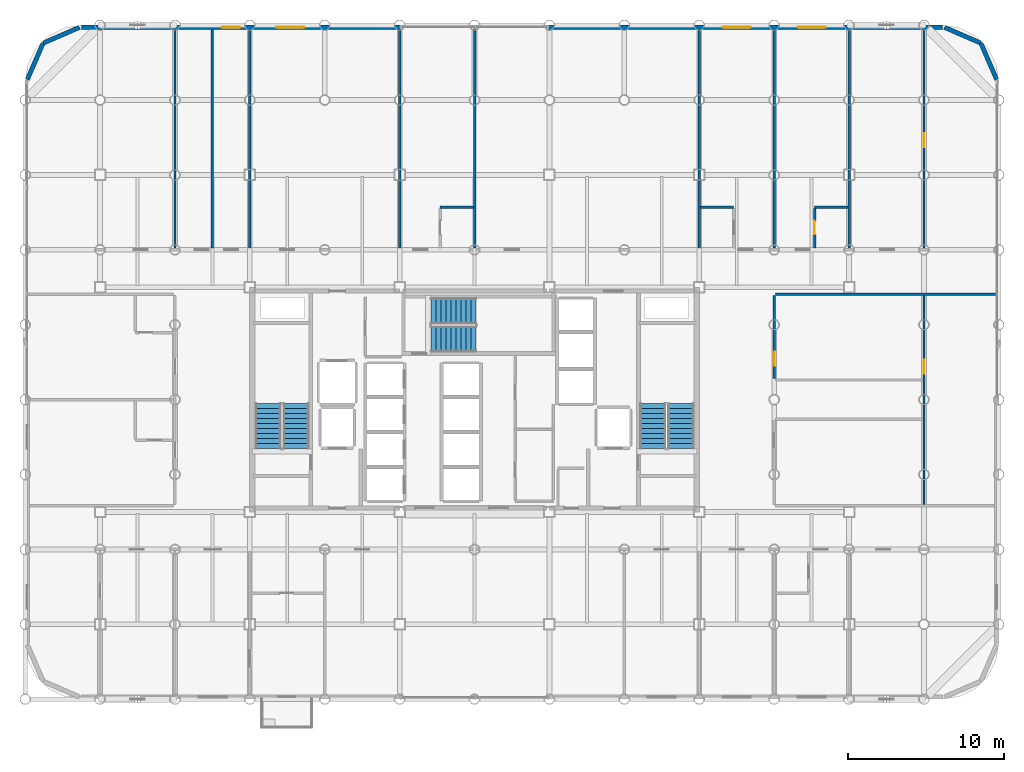
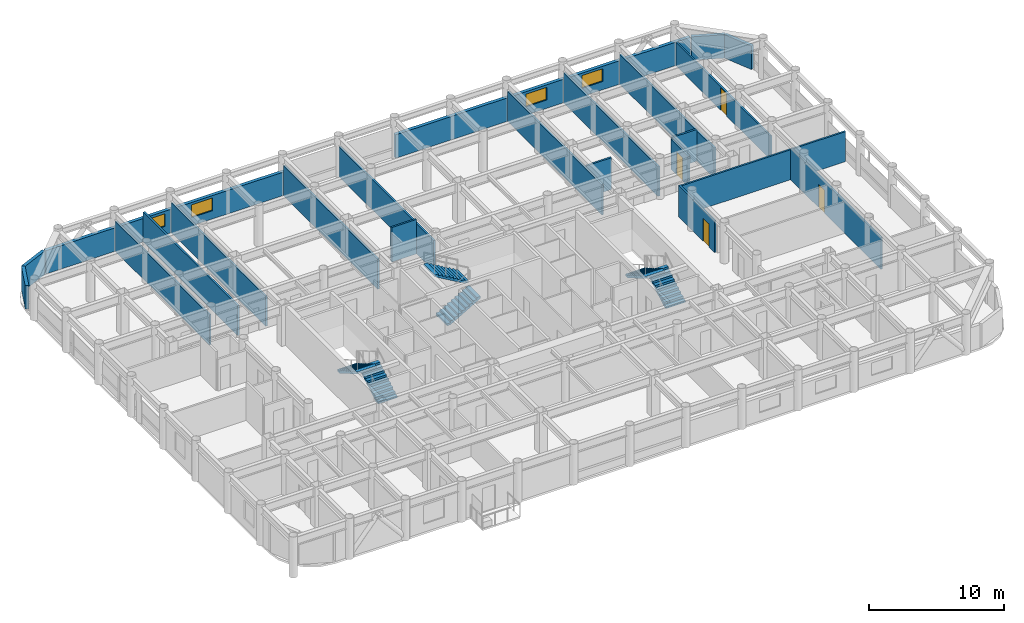
# One storey, part 20 of 22: 22 walls, 6 stair flights, 4 doors, 4 windows, 8 openings, 3 elements without a shape of their own.
"""IFC4 building model written with IfcOpenShell, lengths in metres."""

from ifc_helpers import new_model, si_unit, direction, frame, frame_2d, origin, place, context, subcontext, project, spatial, polyline, rectangle, outline, extrude, material, layer, layer_set, type_object, element, fill, aggregate, save


model = new_model("IFC4")

# Units and contexts
model_context = context("Model", 3, precision=1e-05, world=origin(), true_north=direction((0.0, 1.0)))
body_context = subcontext(model_context, "Body", "Model", "MODEL_VIEW")
ifc_project = project(units=[si_unit("LENGTHUNIT", "METRE"), si_unit("AREAUNIT", "SQUARE_METRE"), si_unit("VOLUMEUNIT", "CUBIC_METRE"), si_unit("PLANEANGLEUNIT", "RADIAN"), si_unit("MASSUNIT", "GRAM", prefix="KILO")], contexts=[model_context])

# Site, building, storey
site_placement = place(None, origin())
site = spatial("IfcSite", under=ifc_project, at=site_placement, CompositionType="ELEMENT")
building_placement = place(site_placement, origin())
building = spatial("IfcBuilding", under=site, at=building_placement, Name="Kallvorn Hotel Tower", CompositionType="ELEMENT")
storey_placement = place(building_placement, frame((0.0, 0.0, 102.60009765625)))
storey = spatial("IfcBuildingStorey", under=building, at=storey_placement, Name="L24", CompositionType="ELEMENT", Elevation=102.60009765625)

# Walls
ifc_material_1 = material(Name="Fire-rated double-layer acoustic gypsum drywall EI 60")
ifc_layer_1 = layer(ifc_material_1, 0.159912109375)
ifc_layer_set_1 = layer_set([ifc_layer_1], Name="WL_DEMISE_160")
wall_type_1 = type_object("IfcWallType", Name="WL_DEMISE_160", PredefinedType="PARTITIONING", material=ifc_layer_set_1)
wall_1_placement = place(storey_placement, frame((-2.2099609375, 12.320068359375, 0.0), z_axis=(0.0, 0.0, 1.0), x_axis=(1.0, 0.0, 0.0)))
element("IfcWall", 1, at=wall_1_placement, inside=storey, type_object=wall_type_1, Name="L24 Suite 2405 Standard King Room Partition", PredefinedType="PARTITIONING", context=body_context, shape_type="SweptSolid", body=[
    extrude(rectangle(XDim=2.1298828125, YDim=0.159912109375, at=frame_2d((1.06494140625, 0.0))), origin(), (0.0, 0.0, 1.0), 3.119873046875),
])
wall_2_placement = place(storey_placement, frame((14.47998046875, 12.320068359375, 0.0), z_axis=(0.0, 0.0, 1.0), x_axis=(1.0, 0.0, 0.0)))
element("IfcWall", 2, at=wall_2_placement, inside=storey, type_object=wall_type_1, Name="L24 Suite 2406 Standard King Room Partition", PredefinedType="PARTITIONING", context=body_context, shape_type="SweptSolid", body=[
    extrude(rectangle(XDim=2.130126953125, YDim=0.159912109375, at=frame_2d((1.06494140625, 0.0))), origin(), (0.0, 0.0, 1.0), 2.869873046875),
])
wall_3_placement = place(storey_placement, frame((21.7900390625, 12.320068359375, 0.0), z_axis=(0.0, 0.0, 1.0), x_axis=(1.0, 0.0, 0.0)))
element("IfcWall", 3, at=wall_3_placement, inside=storey, type_object=wall_type_1, Name="L24 Suite 2407 Standard King Room Partition", PredefinedType="PARTITIONING", context=body_context, shape_type="SweptSolid", body=[
    extrude(rectangle(XDim=2.1298828125, YDim=0.159912109375, at=frame_2d((1.06494140625, 0.0))), origin(), (0.0, 0.0, 1.0), 2.869873046875),
])
wall_4_placement = place(storey_placement, frame((-4.800048828125, 9.719970703125, 0.0), z_axis=(0.0, 0.0, 1.0), x_axis=(0.0, 1.0, 0.0)))
element("IfcWall", 4, at=wall_4_placement, inside=storey, type_object=wall_type_1, Name="L24 Suite 2405 Standard King Room Partition", PredefinedType="PARTITIONING", context=body_context, shape_type="SweptSolid", body=[
    extrude(rectangle(XDim=13.989990234375, YDim=0.159912109375, at=frame_2d((6.9951171875, 0.0))), origin(), (0.0, 0.0, 1.0), 2.719970703125),
])
wall_5_placement = place(storey_placement, frame((0.0, 9.719970703125, 0.0), z_axis=(0.0, 0.0, 1.0), x_axis=(0.0, 1.0, 0.0)))
element("IfcWall", 5, at=wall_5_placement, inside=storey, type_object=wall_type_1, Name="L24 Suite 2405 Standard King Room Partition", PredefinedType="PARTITIONING", context=body_context, shape_type="SweptSolid", body=[
    extrude(rectangle(XDim=14.074951171875, YDim=0.159912109375, at=frame_2d((7.03759765625, 0.0))), origin(), (0.0, 0.0, 1.0), 2.719970703125),
])
for number, where, z_axis, x_axis, name in (
    (6, (14.39990234375, 9.719970703125, 0.0), (0.0, 0.0, 1.0), (0.0, 1.0, 0.0), "L24 Suite 2406 Standard King Room Partition"),
    (7, (19.199951171875, 9.719970703125, 0.0), (0.0, 0.0, 1.0), (0.0, 1.0, 0.0), "L24 Suite 2406 Standard King Room Partition"),
):
    element("IfcWall", number, at=place(storey_placement, frame(where, z_axis=z_axis, x_axis=x_axis)), inside=storey, type_object=wall_type_1, Name=name, PredefinedType="PARTITIONING", context=body_context, shape_type="SweptSolid", body=[
        extrude(rectangle(XDim=13.989990234375, YDim=0.159912109375, at=frame_2d((6.9951171875, 0.0))), origin(), (0.0, 0.0, 1.0), 2.719970703125),
    ])

# Wall, opening, door
wall_6_placement = place(storey_placement, frame((21.7900390625, 9.719970703125, 0.0), z_axis=(0.0, 0.0, 1.0), x_axis=(0.0, 1.0, 0.0)))
wall_6 = element("IfcWall", 8, at=wall_6_placement, inside=storey, type_object=wall_type_1, Name="L24 Suite 2407 Standard King Room Partition", PredefinedType="PARTITIONING", context=body_context, shape_type="SweptSolid", body=[
    extrude(rectangle(XDim=2.51513671875, YDim=0.159912109375, at=frame_2d((1.257568359375, 0.0))), origin(), (0.0, 0.0, 1.0), 2.719970703125),
])
opening_1_placement = place(wall_6_placement, frame((0.8701171875, 0.0, 0.0)))
opening_1 = element("IfcOpeningElement", 9, at=opening_1_placement, cuts=wall_6, Name="Opening BD-I", PredefinedType="OPENING", context=body_context, shape_type="SweptSolid", body=[
    extrude(rectangle(XDim=0.860107421875, YDim=2.10009765625, at=frame_2d((0.43017578125, 1.050048828125))), frame((0.0, 0.094970703125, 0.0), z_axis=(0.0, -1.0, 0.0), x_axis=(1.0, 0.0, 0.0)), (0.0, 0.0, 1.0), 0.18994140625),
])
ifc_material_2 = material(Name="Solid-core walnut veneer fire-rated timber door leaf", Category="wood")
door_type_1 = type_object("IfcDoorType", Name="DR_BATH_860x2100", OperationType="NOTDEFINED", PredefinedType="DOOR", material=ifc_material_2)
door_1_placement = place(opening_1_placement, origin())
door_1 = element("IfcDoor", 10, at=door_1_placement, inside=storey, type_object=door_type_1, Name="L24 Suite 2407 En-Suite Bathroom Door", OperationType="SINGLE_SWING_RIGHT", OverallHeight=2.10009765625, OverallWidth=0.860107421875, PredefinedType="DOOR", context=body_context, shape_type="SweptSolid", body=[
    extrude(rectangle(XDim=0.860107421875, YDim=2.10009765625, at=frame_2d((0.43017578125, 1.050048828125))), frame((0.0, 0.02490234375, 0.0), z_axis=(0.0, -1.0, 0.0), x_axis=(1.0, 0.0, 0.0)), (0.0, 0.0, 1.0), 0.050048828125),
])
fill(opening_1, door_1)

# Walls
wall_7_placement = place(storey_placement, frame((24.0, 9.719970703125, 0.0), z_axis=(0.0, 0.0, 1.0), x_axis=(0.0, 1.0, 0.0)))
element("IfcWall", 11, at=wall_7_placement, inside=storey, type_object=wall_type_1, Name="L24 Suite 2407 Standard King Room Partition", PredefinedType="PARTITIONING", context=body_context, shape_type="SweptSolid", body=[
    extrude(rectangle(XDim=13.989990234375, YDim=0.159912109375, at=frame_2d((6.9951171875, 0.0))), origin(), (0.0, 0.0, 1.0), 2.719970703125),
])
ifc_material_3 = material(Name="Precast basalt-clad insulated concrete wall C40/50", Category="masonry")
ifc_layer_2 = layer(ifc_material_3, 0.280029296875)
ifc_layer_set_2 = layer_set([ifc_layer_2], Name="WL_EXT_LOGGIA_280")
wall_type_2 = type_object("IfcWallType", Name="WL_EXT_LOGGIA_280", PredefinedType="SOLIDWALL", material=ifc_layer_set_2)
wall_8_placement = place(storey_placement, frame((33.4580078125, 20.520751953125, 0.0), z_axis=(0.0, 0.0, 1.0), x_axis=(-0.398792985289, 0.917040977756, 0.0)))
element("IfcWall", 12, at=wall_8_placement, inside=storey, type_object=wall_type_2, Name="L24 Rounded Corner Exterior Wall NE1", PredefinedType="SOLIDWALL", context=body_context, shape_type="SweptSolid", body=[
    extrude(rectangle(XDim=2.536376953125, YDim=0.280029296875, at=frame_2d((1.26806640625, 0.0))), origin(), (0.0, 0.0, 1.0), 2.119873046875),
])
for number, where, z_axis, x_axis, name in (
    (13, (32.446533203125, 22.8466796875, 0.0), (0.0, 0.0, 1.0), (-0.917060872934, 0.398747232384, 0.0), "L24 Rounded Corner Exterior Wall NE2"),
    (14, (-25.32080078125, 23.85791015625, 0.0), (0.0, 0.0, 1.0), (-0.917060872934, -0.398747232384, 0.0), "L24 Rounded Corner Exterior Wall NW1"),
):
    element("IfcWall", number, at=place(storey_placement, frame(where, z_axis=z_axis, x_axis=x_axis)), inside=storey, type_object=wall_type_2, Name=name, PredefinedType="SOLIDWALL", context=body_context, shape_type="SweptSolid", body=[
        extrude(rectangle(XDim=2.5361328125, YDim=0.280029296875, at=frame_2d((1.26806640625, 0.0))), origin(), (0.0, 0.0, 1.0), 2.119873046875),
    ])
wall_9_placement = place(storey_placement, frame((-27.646484375, 22.8466796875, 0.0), z_axis=(0.0, 0.0, 1.0), x_axis=(-0.398792985289, -0.917040977756, 0.0)))
element("IfcWall", 15, at=wall_9_placement, inside=storey, type_object=wall_type_2, Name="L24 Rounded Corner Exterior Wall NW2", PredefinedType="SOLIDWALL", context=body_context, shape_type="SweptSolid", body=[
    extrude(rectangle(XDim=2.536376953125, YDim=0.280029296875, at=frame_2d((1.26806640625, 0.0))), origin(), (0.0, 0.0, 1.0), 2.119873046875),
])

# Wall, openings, windows
wall_10_placement = place(storey_placement, frame((-25.199951171875, 23.860107421875, 0.0), z_axis=(0.0, 0.0, 1.0), x_axis=(1.0, 0.0, 0.0)))
wall_10 = element("IfcWall", 16, at=wall_10_placement, inside=storey, type_object=wall_type_2, Name="L24 Exterior Envelope Wall EW-L24-NW", PredefinedType="SOLIDWALL", context=body_context, shape_type="SweptSolid", body=[
    extrude(rectangle(XDim=20.449951171875, YDim=0.280029296875, at=frame_2d((10.22509765625, 0.0))), origin(), (0.0, 0.0, 1.0), 2.119873046875),
])
opening_2_placement = place(wall_10_placement, frame((9.0, 0.0, 0.75)))
opening_2 = element("IfcOpeningElement", 17, at=opening_2_placement, cuts=wall_10, Name="Opening W06A", PredefinedType="OPENING", context=body_context, shape_type="SweptSolid", body=[
    extrude(rectangle(XDim=1.199951171875, YDim=1.14990234375, at=frame_2d((0.60009765625, 0.574951171875))), frame((0.0, 0.155029296875, 0.0), z_axis=(0.0, -1.0, 0.0), x_axis=(1.0, 0.0, 0.0)), (0.0, 0.0, 1.0), 0.31005859375),
])
opening_3_placement = place(wall_10_placement, frame((12.47998046875, 0.0, 0.75)))
opening_3 = element("IfcOpeningElement", 18, at=opening_3_placement, cuts=wall_10, Name="Opening W04A", PredefinedType="OPENING", context=body_context, shape_type="SweptSolid", body=[
    extrude(rectangle(XDim=1.800048828125, YDim=1.14990234375, at=frame_2d((0.89990234375, 0.574951171875))), frame((0.0, 0.155029296875, 0.0), z_axis=(0.0, -1.0, 0.0), x_axis=(1.0, 0.0, 0.0)), (0.0, 0.0, 1.0), 0.31005859375),
])
ifc_material_4 = material(Name="Triple-glazed low-e acoustic solar-control dark glass", Category="glass")
window_type_1 = type_object("IfcWindowType", Name="WN_HTL_1200x1150", PartitioningType="SINGLE_PANEL", PredefinedType="WINDOW", material=ifc_material_4)
window_1_placement = place(opening_2_placement, origin())
window_1 = element("IfcWindow", 19, at=window_1_placement, inside=storey, type_object=window_type_1, Name="L24 Guestroom Exterior Window 08", OverallHeight=1.14990234375, OverallWidth=1.199951171875, PartitioningType="SINGLE_PANEL", PredefinedType="WINDOW", context=body_context, shape_type="SweptSolid", body=[
    extrude(rectangle(XDim=1.199951171875, YDim=1.14990234375, at=frame_2d((0.60009765625, 0.574951171875))), frame((0.0, 0.030029296875, 0.0), z_axis=(0.0, -1.0, 0.0), x_axis=(1.0, 0.0, 0.0)), (0.0, 0.0, 1.0), 0.06005859375),
])
fill(opening_2, window_1)
ifc_material_5 = material(Name="Double-glazed low-e solar-control dark glass", Category="glass")
window_type_2 = type_object("IfcWindowType", Name="WN_HTL_1800x1150", PartitioningType="SINGLE_PANEL", PredefinedType="WINDOW", material=ifc_material_5)
window_2_placement = place(opening_3_placement, origin())
window_2 = element("IfcWindow", 20, at=window_2_placement, inside=storey, type_object=window_type_2, Name="L24 Guestroom Exterior Window 09", OverallHeight=1.14990234375, OverallWidth=1.800048828125, PartitioningType="SINGLE_PANEL", PredefinedType="WINDOW", context=body_context, shape_type="SweptSolid", body=[
    extrude(rectangle(XDim=1.800048828125, YDim=1.14990234375, at=frame_2d((0.89990234375, 0.574951171875))), frame((0.0, 0.030029296875, 0.0), z_axis=(0.0, -1.0, 0.0), x_axis=(1.0, 0.0, 0.0)), (0.0, 0.0, 1.0), 0.06005859375),
])
fill(opening_3, window_2)

wall_11_placement = place(storey_placement, frame((4.75, 23.860107421875, 0.0), z_axis=(0.0, 0.0, 1.0), x_axis=(1.0, 0.0, 0.0)))
wall_11 = element("IfcWall", 21, at=wall_11_placement, inside=storey, type_object=wall_type_2, Name="L24 Exterior Envelope Wall EW-L24-NE", PredefinedType="SOLIDWALL", context=body_context, shape_type="SweptSolid", body=[
    extrude(rectangle(XDim=25.25, YDim=0.280029296875, at=frame_2d((12.625, 0.0))), origin(), (0.0, 0.0, 1.0), 2.119873046875),
])
opening_4_placement = place(wall_11_placement, frame((11.14990234375, 0.0, 0.75)))
opening_4 = element("IfcOpeningElement", 22, at=opening_4_placement, cuts=wall_11, Name="Opening W04A", PredefinedType="OPENING", context=body_context, shape_type="SweptSolid", body=[
    extrude(rectangle(XDim=1.800048828125, YDim=1.14990234375, at=frame_2d((0.89990234375, 0.574951171875))), frame((0.0, 0.155029296875, 0.0), z_axis=(0.0, -1.0, 0.0), x_axis=(1.0, 0.0, 0.0)), (0.0, 0.0, 1.0), 0.31005859375),
])
opening_5_placement = place(wall_11_placement, frame((15.949951171875, 0.0, 0.75)))
opening_5 = element("IfcOpeningElement", 23, at=opening_5_placement, cuts=wall_11, Name="Opening W04A", PredefinedType="OPENING", context=body_context, shape_type="SweptSolid", body=[
    extrude(rectangle(XDim=1.800048828125, YDim=1.14990234375, at=frame_2d((0.89990234375, 0.574951171875))), frame((0.0, 0.155029296875, 0.0), z_axis=(0.0, -1.0, 0.0), x_axis=(1.0, 0.0, 0.0)), (0.0, 0.0, 1.0), 0.31005859375),
])
window_3_placement = place(opening_4_placement, origin())
window_3 = element("IfcWindow", 24, at=window_3_placement, inside=storey, type_object=window_type_2, Name="L24 Guestroom Exterior Window 10", OverallHeight=1.14990234375, OverallWidth=1.800048828125, PartitioningType="SINGLE_PANEL", PredefinedType="WINDOW", context=body_context, shape_type="SweptSolid", body=[
    extrude(rectangle(XDim=1.800048828125, YDim=1.14990234375, at=frame_2d((0.89990234375, 0.574951171875))), frame((0.0, 0.030029296875, 0.0), z_axis=(0.0, -1.0, 0.0), x_axis=(1.0, 0.0, 0.0)), (0.0, 0.0, 1.0), 0.06005859375),
])
fill(opening_4, window_3)
window_4_placement = place(opening_5_placement, origin())
window_4 = element("IfcWindow", 25, at=window_4_placement, inside=storey, type_object=window_type_2, Name="L24 Guestroom Exterior Window 11", OverallHeight=1.14990234375, OverallWidth=1.800048828125, PartitioningType="SINGLE_PANEL", PredefinedType="WINDOW", context=body_context, shape_type="SweptSolid", body=[
    extrude(rectangle(XDim=1.800048828125, YDim=1.14990234375, at=frame_2d((0.89990234375, 0.574951171875))), frame((0.0, 0.030029296875, 0.0), z_axis=(0.0, -1.0, 0.0), x_axis=(1.0, 0.0, 0.0)), (0.0, 0.0, 1.0), 0.06005859375),
])
fill(opening_5, window_4)

# Walls
ifc_material_6 = material(Name="Fire-rated double-layer acoustic gypsum drywall EI 60")
ifc_layer_3 = layer(ifc_material_6, 0.14990234375)
ifc_layer_set_3 = layer_set([ifc_layer_3], Name="WL_PART_150")
wall_type_3 = type_object("IfcWallType", Name="WL_PART_150", PredefinedType="PARTITIONING", material=ifc_layer_set_3)
wall_12_placement = place(storey_placement, frame((19.280029296875, 6.75, 0.0), z_axis=(0.0, 0.0, 1.0), x_axis=(1.0, 0.0, 0.0)))
element("IfcWall", 26, at=wall_12_placement, inside=storey, type_object=wall_type_3, Name="L24 L24 East Inner Screening Salon Partition", PredefinedType="PARTITIONING", context=body_context, shape_type="SweptSolid", body=[
    extrude(rectangle(XDim=14.14990234375, YDim=0.14990234375, at=frame_2d((7.074951171875, 0.0))), origin(), (0.0, 0.0, 1.0), 2.719970703125),
])
for number, where, z_axis, x_axis, name in (
    (27, (-19.199951171875, 9.719970703125, 0.0), (0.0, 0.0, 1.0), (0.0, 1.0, 0.0), "L24 Housekeeping and Linen Room Partition"),
    (28, (-16.800048828125, 9.719970703125, 0.0), (0.0, 0.0, 1.0), (0.0, 1.0, 0.0), "L24 Guest Tea and Refreshment Bar Partition"),
    (29, (-14.39990234375, 9.719970703125, 0.0), (0.0, 0.0, 1.0), (0.0, 1.0, 0.0), "L24 Guest Tea and Refreshment Bar Partition"),
):
    element("IfcWall", number, at=place(storey_placement, frame(where, z_axis=z_axis, x_axis=x_axis)), inside=storey, type_object=wall_type_3, Name=name, PredefinedType="PARTITIONING", context=body_context, shape_type="SweptSolid", body=[
        extrude(rectangle(XDim=13.989990234375, YDim=0.14990234375, at=frame_2d((6.9951171875, 0.0))), origin(), (0.0, 0.0, 1.0), 2.719970703125),
    ])

# Wall, opening, door
wall_13_placement = place(storey_placement, frame((19.199951171875, 1.344970703125, 0.0), z_axis=(0.0, 0.0, 1.0), x_axis=(0.0, 1.0, 0.0)))
wall_13 = element("IfcWall", 30, at=wall_13_placement, inside=storey, type_object=wall_type_3, Name="L24 L24 East Inner Screening Salon Partition", PredefinedType="PARTITIONING", context=body_context, shape_type="SweptSolid", body=[
    extrude(rectangle(XDim=5.320068359375, YDim=0.14990234375, at=frame_2d((2.66015625, 0.0))), origin(), (0.0, 0.0, 1.0), 2.869873046875),
])
opening_6_placement = place(wall_13_placement, frame((0.81689453125, 0.0, 0.0)))
opening_6 = element("IfcOpeningElement", 31, at=opening_6_placement, cuts=wall_13, Name="Opening SVD1", PredefinedType="OPENING", context=body_context, shape_type="SweptSolid", body=[
    extrude(rectangle(XDim=0.89990234375, YDim=2.10009765625, at=frame_2d((0.449951171875, 1.050048828125))), frame((0.0, 0.08984375, 0.0), z_axis=(0.0, -1.0, 0.0), x_axis=(1.0, 0.0, 0.0)), (0.0, 0.0, 1.0), 0.179931640625),
])
ifc_material_7 = material(Name="Galvanised painted steel fire-rated door assembly", Category="steel")
door_type_2 = type_object("IfcDoorType", Name="DR_SERV_900x2100", OperationType="NOTDEFINED", PredefinedType="DOOR", material=ifc_material_7)
door_2_placement = place(opening_6_placement, origin())
door_2 = element("IfcDoor", 32, at=door_2_placement, inside=storey, type_object=door_type_2, Name="L24 L24 East Inner Screening Salon Door", OperationType="SINGLE_SWING_RIGHT", OverallHeight=2.10009765625, OverallWidth=0.89990234375, PredefinedType="DOOR", context=body_context, shape_type="SweptSolid", body=[
    extrude(rectangle(XDim=0.89990234375, YDim=2.10009765625, at=frame_2d((0.449951171875, 1.050048828125))), frame((0.0, 0.02490234375, 0.0), z_axis=(0.0, -1.0, 0.0), x_axis=(1.0, 0.0, 0.0)), (0.0, 0.0, 1.0), 0.050048828125),
])
fill(opening_6, door_2)

wall_14_placement = place(storey_placement, frame((28.800048828125, -6.715087890625, 0.0), z_axis=(0.0, 0.0, 1.0), x_axis=(0.0, 1.0, 0.0)))
wall_14 = element("IfcWall", 33, at=wall_14_placement, inside=storey, type_object=wall_type_3, Name="L24 L24 East Inner Club Bar Partition", PredefinedType="PARTITIONING", context=body_context, shape_type="SweptSolid", body=[
    extrude(rectangle(XDim=13.380126953125, YDim=0.14990234375, at=frame_2d((6.68994140625, 0.0))), origin(), (0.0, 0.0, 1.0), 2.869873046875),
])
opening_7_placement = place(wall_14_placement, frame((8.37939453125, 0.0, 0.0)))
opening_7 = element("IfcOpeningElement", 34, at=opening_7_placement, cuts=wall_14, Name="Opening SVD1", PredefinedType="OPENING", context=body_context, shape_type="SweptSolid", body=[
    extrude(rectangle(XDim=0.89990234375, YDim=2.10009765625, at=frame_2d((0.449951171875, 1.050048828125))), frame((0.0, 0.08984375, 0.0), z_axis=(0.0, -1.0, 0.0), x_axis=(1.0, 0.0, 0.0)), (0.0, 0.0, 1.0), 0.179931640625),
])
door_3_placement = place(opening_7_placement, origin())
door_3 = element("IfcDoor", 35, at=door_3_placement, inside=storey, type_object=door_type_2, Name="L24 L24 E Cordillera Panorama Dining Salon Door", OperationType="SINGLE_SWING_RIGHT", OverallHeight=2.10009765625, OverallWidth=0.89990234375, PredefinedType="DOOR", context=body_context, shape_type="SweptSolid", body=[
    extrude(rectangle(XDim=0.89990234375, YDim=2.10009765625, at=frame_2d((0.449951171875, 1.050048828125))), frame((0.0, 0.02490234375, 0.0), z_axis=(0.0, -1.0, 0.0), x_axis=(1.0, 0.0, 0.0)), (0.0, 0.0, 1.0), 0.050048828125),
])
fill(opening_7, door_3)

wall_15_placement = place(storey_placement, frame((28.800048828125, 9.719970703125, 0.0), z_axis=(0.0, 0.0, 1.0), x_axis=(0.0, 1.0, 0.0)))
wall_15 = element("IfcWall", 36, at=wall_15_placement, inside=storey, type_object=wall_type_3, Name="L24 L24 North-East Reading Club A Partition", PredefinedType="PARTITIONING", context=body_context, shape_type="SweptSolid", body=[
    extrude(rectangle(XDim=13.989990234375, YDim=0.14990234375, at=frame_2d((6.9951171875, 0.0))), origin(), (0.0, 0.0, 1.0), 2.119873046875),
])
opening_8_placement = place(wall_15_placement, frame((6.465087890625, 0.0, 0.0)))
opening_8 = element("IfcOpeningElement", 37, at=opening_8_placement, cuts=wall_15, Name="Opening SVD1A", PredefinedType="OPENING", context=body_context, shape_type="SweptSolid", body=[
    extrude(rectangle(XDim=0.89990234375, YDim=2.02001953125, at=frame_2d((0.449951171875, 1.010009765625))), frame((0.0, 0.08984375, 0.0), z_axis=(0.0, -1.0, 0.0), x_axis=(1.0, 0.0, 0.0)), (0.0, 0.0, 1.0), 0.179931640625),
])
ifc_material_8 = material(Name="Galvanised painted steel fire-rated door assembly", Category="steel")
door_type_3 = type_object("IfcDoorType", Name="DR_SERV_900x2020", OperationType="NOTDEFINED", PredefinedType="DOOR", material=ifc_material_8)
door_4_placement = place(opening_8_placement, origin())
door_4 = element("IfcDoor", 38, at=door_4_placement, inside=storey, type_object=door_type_3, Name="L24 L24 North-East Reading Club B Door", OperationType="SINGLE_SWING_RIGHT", OverallHeight=2.02001953125, OverallWidth=0.89990234375, PredefinedType="DOOR", context=body_context, shape_type="SweptSolid", body=[
    extrude(rectangle(XDim=0.89990234375, YDim=2.02001953125, at=frame_2d((0.449951171875, 1.010009765625))), frame((0.0, 0.02490234375, 0.0), z_axis=(0.0, -1.0, 0.0), x_axis=(1.0, 0.0, 0.0)), (0.0, 0.0, 1.0), 0.050048828125),
])
fill(opening_8, door_4)

# Stair, stair flights
ifc_material_9 = material(Name="Precast concrete C40/50", Category="concrete")
stair_type = type_object("IfcStairType", Name="STR_CORE_DOGLEG", PredefinedType="HALF_TURN_STAIR", material=ifc_material_9)
stair_1_placement = place(storey_placement, origin())
stair_1 = element("IfcStair", 39, at=stair_1_placement, inside=storey, type_object=stair_type, Name="L24 Exit stair ST1", PredefinedType="HALF_TURN_STAIR")
ifc_material_10 = material(Name="Precast concrete C40/50", Category="concrete")
stair_flight_type = type_object("IfcStairFlightType", Name="FLT_CORE_1660", PredefinedType="STRAIGHT", material=ifc_material_10)
stair_flight_1_placement = place(storey_placement, frame((-11.429931640625, -3.139892578125, 0.0), z_axis=(0.0, 0.0, 1.0), x_axis=(0.0, 1.0, 0.0)))
stair_flight_1 = element("IfcStairFlight", 40, at=stair_flight_1_placement, type_object=stair_flight_type, Name="ST1 flight 1", NumberOfRisers=10, NumberOfTreads=9, PredefinedType="STRAIGHT", RiserHeight=0.185, TreadLength=0.32, context=body_context, shape_type="SweptSolid", body=[
    extrude(outline(polyline([(0.0, 0.0), (0.0, 0.18505859375), (0.320068359375, 0.18505859375), (0.320068359375, 0.3701171875), (0.639892578125, 0.3701171875), (0.639892578125, 0.554931640625), (0.9599609375, 0.554931640625), (0.9599609375, 0.739990234375), (1.280029296875, 0.739990234375), (1.280029296875, 0.925048828125), (1.60009765625, 0.925048828125), (1.60009765625, 1.110107421875), (1.919921875, 1.110107421875), (1.919921875, 1.294921875), (2.239990234375, 1.294921875), (2.239990234375, 1.47998046875), (2.56005859375, 1.47998046875), (2.56005859375, 1.6650390625), (2.8798828125, 1.6650390625), (2.8798828125, 1.85009765625), (2.8798828125, 1.491943359375), (0.299560546875, 0.0), (0.0, 0.0)])), frame((0.0, 0.830078125, 0.0), z_axis=(0.0, -1.0, 0.0), x_axis=(1.0, 0.0, 0.0)), (0.0, 0.0, 1.0), 1.659912109375),
])
stair_flight_2_placement = place(storey_placement, frame((-13.22998046875, -0.260009765625, 1.849853515625), z_axis=(0.0, 0.0, 1.0), x_axis=(0.0, -1.0, 0.0)))
stair_flight_2 = element("IfcStairFlight", 41, at=stair_flight_2_placement, type_object=stair_flight_type, Name="ST1 flight 2", NumberOfRisers=10, NumberOfTreads=9, PredefinedType="STRAIGHT", RiserHeight=0.185, TreadLength=0.32, context=body_context, shape_type="SweptSolid", body=[
    extrude(outline(polyline([(0.0, 0.0), (0.0, 0.18505859375), (0.320068359375, 0.18505859375), (0.320068359375, 0.3701171875), (0.639892578125, 0.3701171875), (0.639892578125, 0.554931640625), (0.9599609375, 0.554931640625), (0.9599609375, 0.739990234375), (1.280029296875, 0.739990234375), (1.280029296875, 0.925048828125), (1.60009765625, 0.925048828125), (1.60009765625, 1.110107421875), (1.919921875, 1.110107421875), (1.919921875, 1.294921875), (2.239990234375, 1.294921875), (2.239990234375, 1.47998046875), (2.56005859375, 1.47998046875), (2.56005859375, 1.6650390625), (2.8798828125, 1.6650390625), (2.8798828125, 1.85009765625), (2.8798828125, 1.491943359375), (0.299560546875, 0.0), (0.0, 0.0)])), frame((0.0, 0.830078125, 0.0), z_axis=(0.0, -1.0, 0.0), x_axis=(1.0, 0.0, 0.0)), (0.0, 0.0, 1.0), 1.659912109375),
])
aggregate(stair_1, [stair_flight_1, stair_flight_2])

stair_2_placement = place(storey_placement, origin())
stair_2 = element("IfcStair", 42, at=stair_2_placement, inside=storey, type_object=stair_type, Name="L24 Exit stair ST2", PredefinedType="HALF_TURN_STAIR")
stair_flight_3_placement = place(storey_placement, frame((13.22998046875, -3.139892578125, 0.0), z_axis=(0.0, 0.0, 1.0), x_axis=(0.0, 1.0, 0.0)))
stair_flight_3 = element("IfcStairFlight", 43, at=stair_flight_3_placement, type_object=stair_flight_type, Name="ST2 flight 1", NumberOfRisers=10, NumberOfTreads=9, PredefinedType="STRAIGHT", RiserHeight=0.185, TreadLength=0.32, context=body_context, shape_type="SweptSolid", body=[
    extrude(outline(polyline([(0.0, 0.0), (0.0, 0.18505859375), (0.320068359375, 0.18505859375), (0.320068359375, 0.3701171875), (0.639892578125, 0.3701171875), (0.639892578125, 0.554931640625), (0.9599609375, 0.554931640625), (0.9599609375, 0.739990234375), (1.280029296875, 0.739990234375), (1.280029296875, 0.925048828125), (1.60009765625, 0.925048828125), (1.60009765625, 1.110107421875), (1.919921875, 1.110107421875), (1.919921875, 1.294921875), (2.239990234375, 1.294921875), (2.239990234375, 1.47998046875), (2.56005859375, 1.47998046875), (2.56005859375, 1.6650390625), (2.8798828125, 1.6650390625), (2.8798828125, 1.85009765625), (2.8798828125, 1.491943359375), (0.299560546875, 0.0), (0.0, 0.0)])), frame((0.0, 0.830078125, 0.0), z_axis=(0.0, -1.0, 0.0), x_axis=(1.0, 0.0, 0.0)), (0.0, 0.0, 1.0), 1.659912109375),
])
stair_flight_4_placement = place(storey_placement, frame((11.429931640625, -0.260009765625, 1.849853515625), z_axis=(0.0, 0.0, 1.0), x_axis=(0.0, -1.0, 0.0)))
stair_flight_4 = element("IfcStairFlight", 44, at=stair_flight_4_placement, type_object=stair_flight_type, Name="ST2 flight 2", NumberOfRisers=10, NumberOfTreads=9, PredefinedType="STRAIGHT", RiserHeight=0.185, TreadLength=0.32, context=body_context, shape_type="SweptSolid", body=[
    extrude(outline(polyline([(0.0, 0.0), (0.0, 0.18505859375), (0.320068359375, 0.18505859375), (0.320068359375, 0.3701171875), (0.639892578125, 0.3701171875), (0.639892578125, 0.554931640625), (0.9599609375, 0.554931640625), (0.9599609375, 0.739990234375), (1.280029296875, 0.739990234375), (1.280029296875, 0.925048828125), (1.60009765625, 0.925048828125), (1.60009765625, 1.110107421875), (1.919921875, 1.110107421875), (1.919921875, 1.294921875), (2.239990234375, 1.294921875), (2.239990234375, 1.47998046875), (2.56005859375, 1.47998046875), (2.56005859375, 1.6650390625), (2.8798828125, 1.6650390625), (2.8798828125, 1.85009765625), (2.8798828125, 1.491943359375), (0.299560546875, 0.0), (0.0, 0.0)])), frame((0.0, 0.830078125, 0.0), z_axis=(0.0, -1.0, 0.0), x_axis=(1.0, 0.0, 0.0)), (0.0, 0.0, 1.0), 1.659912109375),
])
aggregate(stair_2, [stair_flight_3, stair_flight_4])

stair_3_placement = place(storey_placement, origin())
stair_3 = element("IfcStair", 45, at=stair_3_placement, inside=storey, type_object=stair_type, Name="L24 Exit stair ST3", PredefinedType="HALF_TURN_STAIR")
stair_flight_5_placement = place(storey_placement, frame((-2.7900390625, 3.8798828125, 0.0), z_axis=(0.0, 0.0, 1.0), x_axis=(1.0, 0.0, 0.0)))
stair_flight_5 = element("IfcStairFlight", 46, at=stair_flight_5_placement, type_object=stair_flight_type, Name="ST3 flight 1", NumberOfRisers=10, NumberOfTreads=9, PredefinedType="STRAIGHT", RiserHeight=0.185, TreadLength=0.32, context=body_context, shape_type="SweptSolid", body=[
    extrude(outline(polyline([(0.0, 0.0), (0.0, 0.18505859375), (0.320068359375, 0.18505859375), (0.320068359375, 0.3701171875), (0.639892578125, 0.3701171875), (0.639892578125, 0.554931640625), (0.9599609375, 0.554931640625), (0.9599609375, 0.739990234375), (1.280029296875, 0.739990234375), (1.280029296875, 0.925048828125), (1.60009765625, 0.925048828125), (1.60009765625, 1.110107421875), (1.919921875, 1.110107421875), (1.919921875, 1.294921875), (2.239990234375, 1.294921875), (2.239990234375, 1.47998046875), (2.56005859375, 1.47998046875), (2.56005859375, 1.6650390625), (2.8798828125, 1.6650390625), (2.8798828125, 1.85009765625), (2.8798828125, 1.491943359375), (0.299560546875, 0.0), (0.0, 0.0)])), frame((0.0, 0.830078125, 0.0), z_axis=(0.0, -1.0, 0.0), x_axis=(1.0, 0.0, 0.0)), (0.0, 0.0, 1.0), 1.659912109375),
])
stair_flight_6_placement = place(storey_placement, frame((0.090087890625, 5.679931640625, 1.849853515625), z_axis=(0.0, 0.0, 1.0), x_axis=(-1.0, 0.0, 0.0)))
stair_flight_6 = element("IfcStairFlight", 47, at=stair_flight_6_placement, type_object=stair_flight_type, Name="ST3 flight 2", NumberOfRisers=10, NumberOfTreads=9, PredefinedType="STRAIGHT", RiserHeight=0.185, TreadLength=0.32, context=body_context, shape_type="SweptSolid", body=[
    extrude(outline(polyline([(0.0, 0.0), (0.0, 0.18505859375), (0.320068359375, 0.18505859375), (0.320068359375, 0.3701171875), (0.639892578125, 0.3701171875), (0.639892578125, 0.554931640625), (0.9599609375, 0.554931640625), (0.9599609375, 0.739990234375), (1.280029296875, 0.739990234375), (1.280029296875, 0.925048828125), (1.60009765625, 0.925048828125), (1.60009765625, 1.110107421875), (1.919921875, 1.110107421875), (1.919921875, 1.294921875), (2.239990234375, 1.294921875), (2.239990234375, 1.47998046875), (2.56005859375, 1.47998046875), (2.56005859375, 1.6650390625), (2.8798828125, 1.6650390625), (2.8798828125, 1.85009765625), (2.8798828125, 1.491943359375), (0.299560546875, 0.0), (0.0, 0.0)])), frame((0.0, 0.830078125, 0.0), z_axis=(0.0, -1.0, 0.0), x_axis=(1.0, 0.0, 0.0)), (0.0, 0.0, 1.0), 1.659912109375),
])
aggregate(stair_3, [stair_flight_5, stair_flight_6])

save(model, "model.ifc")
